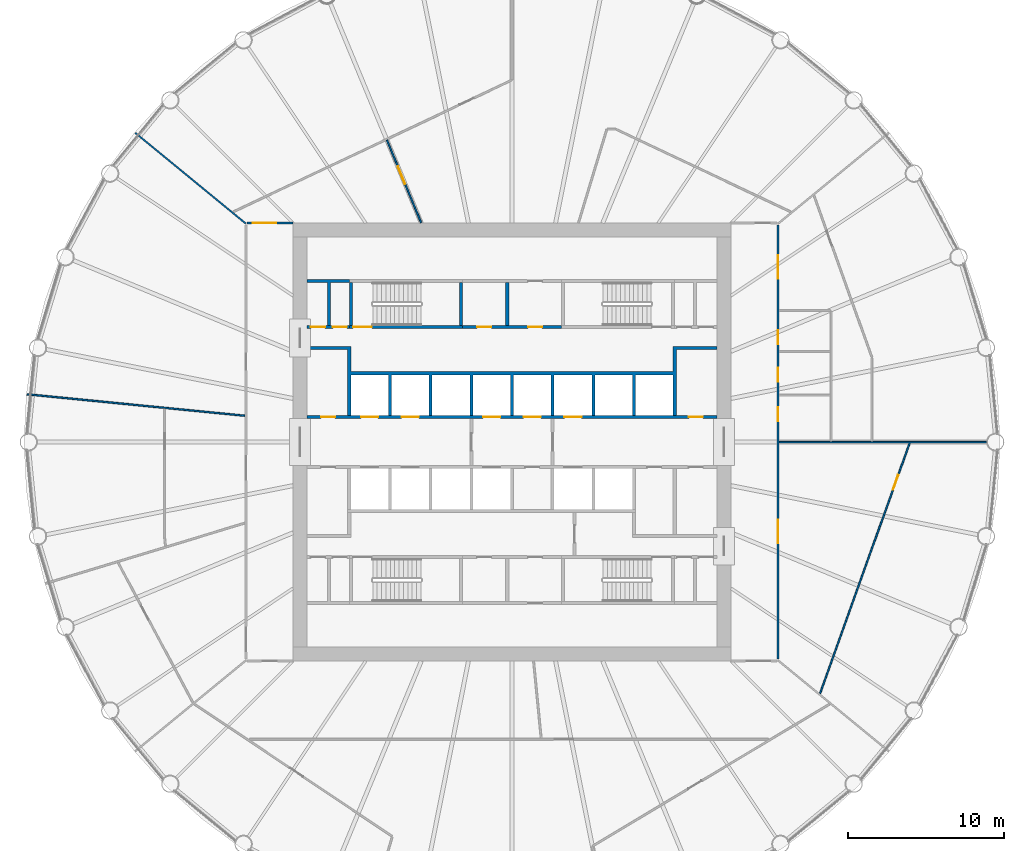
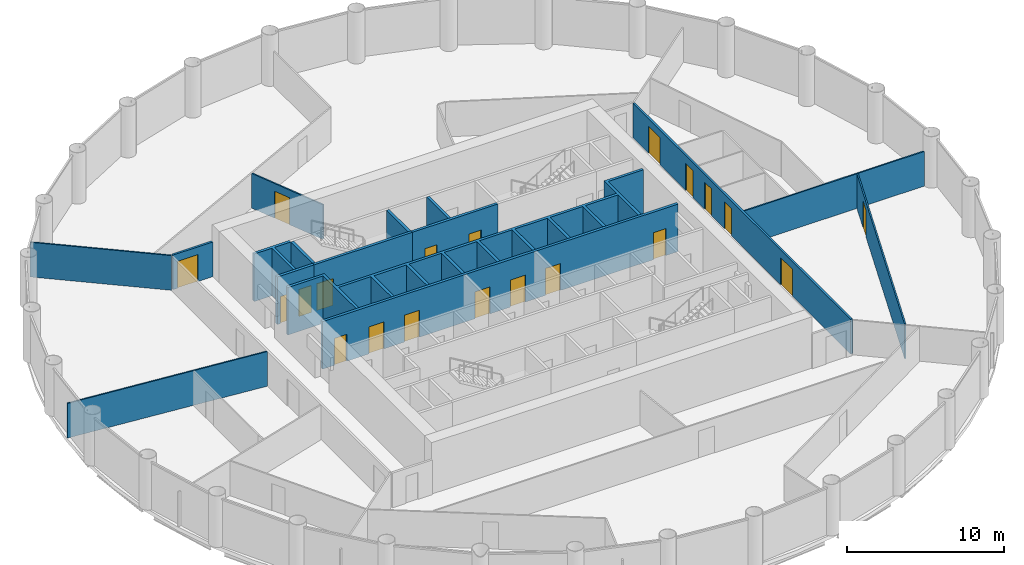
# One storey, part 6 of 8: 20 doors, 16 walls, 20 openings.
"""IFC4 building model written with IfcOpenShell, lengths in metres."""

import ifcopenshell
import ifcopenshell.guid

model = None  # the IFC model being written
_history = None  # IfcOwnerHistory: only IFC2X3 demands one
_inside = {}  # id of a spatial element -> (the spatial element, [elements in it])
_under = {}  # id of a project, library or spatial element -> (it, [spatial elements below it])
_declared = {}  # id of a project -> (the project, [libraries it declares])
_typed = {}  # id of a type object -> (the type object, [elements of that type])
_made_of = {}  # id of a material, layer set ... -> (it, [elements and type objects made of it])


def new_model(schema):
    """Start an empty IFC model of exactly this schema.

    Asked for "IFC4X3", IfcOpenShell would pick the latest addendum, in which some entities
    have other attributes; the version numbers below select the first issue.
    IFC2X3 requires an IfcOwnerHistory on every rooted entity: one is made here for all.
    """
    global model, _history
    if schema == "IFC4X3":
        model = ifcopenshell.file(schema_version=(4, 3, 0, 0))
    else:
        model = ifcopenshell.file(schema=schema)
    _inside.clear()
    _under.clear()
    _declared.clear()
    _typed.clear()
    _made_of.clear()
    _history = None
    if model.schema == "IFC2X3":
        org = make("IfcOrganization", Name="unknown")
        user = make(
            "IfcPersonAndOrganization",
            ThePerson=make("IfcPerson", FamilyName="unknown"),
            TheOrganization=org,
        )
        app = make(
            "IfcApplication",
            ApplicationDeveloper=org,
            Version="unknown",
            ApplicationFullName="unknown",
            ApplicationIdentifier="unknown",
        )
        _history = make(
            "IfcOwnerHistory",
            OwningUser=user,
            OwningApplication=app,
            ChangeAction="ADDED",
            CreationDate=0,
        )
    return model


def make(cls, **values):
    """One entity of the class cls with the attributes given. An attribute that is None is left unset."""
    return model.create_entity(
        cls, **{name: value for name, value in values.items() if value is not None}
    )


def rooted(cls, **values):
    """An entity with a GlobalId (a new one), such as an element, a storey or a relation."""
    return make(cls, GlobalId=ifcopenshell.guid.new(), OwnerHistory=_history, **values)


def si_unit(unit_type, name, prefix=None):
    """IfcSIUnit, for example si_unit("LENGTHUNIT", "METRE", prefix="MILLI")."""
    return make("IfcSIUnit", UnitType=unit_type, Prefix=prefix, Name=name)


def assignment(units):
    """IfcUnitAssignment: the units of a project."""
    return None if units is None else make("IfcUnitAssignment", Units=units)


def point(xyz):
    """IfcCartesianPoint."""
    return None if xyz is None else make("IfcCartesianPoint", Coordinates=xyz)


def direction(xyz):
    """IfcDirection."""
    return None if xyz is None else make("IfcDirection", DirectionRatios=xyz)


def frame(location, z_axis=None, x_axis=None):
    """IfcAxis2Placement3D, a coordinate frame: its origin and axes. An axis left out is left unset."""
    return make(
        "IfcAxis2Placement3D",
        Location=point(location),
        Axis=direction(z_axis),
        RefDirection=direction(x_axis),
    )


def frame_2d(location, x_axis=None):
    """IfcAxis2Placement2D, a coordinate frame in the plane: its origin and x axis."""
    return make(
        "IfcAxis2Placement2D", Location=point(location), RefDirection=direction(x_axis)
    )


def origin():
    """The frame at (0, 0, 0) with its axes left unset."""
    return frame((0.0, 0.0, 0.0))


def place(relative_to, where):
    """IfcLocalPlacement: puts the frame where relative to a parent placement (None: the world)."""
    return make(
        "IfcLocalPlacement", PlacementRelTo=relative_to, RelativePlacement=where
    )


def context(
    kind, dimensions, precision=None, world=None, true_north=None, identifier=None
):
    """IfcGeometricRepresentationContext, for example the 3D "Model" context."""
    return make(
        "IfcGeometricRepresentationContext",
        ContextIdentifier=identifier,
        ContextType=kind,
        CoordinateSpaceDimension=dimensions,
        Precision=precision,
        WorldCoordinateSystem=world,
        TrueNorth=true_north,
    )


def subcontext(parent, identifier, kind, view, scale=None):
    """IfcGeometricRepresentationSubContext, for example "Body" below "Model"."""
    return make(
        "IfcGeometricRepresentationSubContext",
        ContextIdentifier=identifier,
        ContextType=kind,
        ParentContext=parent,
        TargetScale=scale,
        TargetView=view,
    )


def project(units=None, contexts=None):
    """IfcProject with its units and contexts."""
    return rooted(
        "IfcProject",
        Name="project",
        RepresentationContexts=contexts,
        UnitsInContext=assignment(units),
    )


def spatial(cls, under=None, at=None, **own):
    """A site, building, storey or space (cls), placed at a placement, below another one or the project."""
    s = rooted(cls, ObjectPlacement=at, **own)
    if under is not None:
        _under.setdefault(under.id(), (under, []))[1].append(s)
    return s


def polyline(points):
    """IfcPolyline through the points."""
    return make("IfcPolyline", Points=[point(p) for p in points])


def profile(cls, at=None, kind="AREA", **sizes):
    """A parametric profile (cls). Its sizes go by their IFC names, for example OverallWidth=200.0."""
    return make(cls, ProfileType=kind, Position=at, **sizes)


def rectangle(**sizes):
    """IfcRectangleProfileDef."""
    return profile("IfcRectangleProfileDef", **sizes)


def outline(outer, holes=None, kind="AREA"):
    """IfcArbitraryClosedProfileDef: a profile drawn as a closed curve; with holes, ...WithVoids."""
    if holes is None:
        return make("IfcArbitraryClosedProfileDef", ProfileType=kind, OuterCurve=outer)
    return make(
        "IfcArbitraryProfileDefWithVoids",
        ProfileType=kind,
        OuterCurve=outer,
        InnerCurves=holes,
    )


def extrude(swept, where, along, depth):
    """IfcExtrudedAreaSolid: the profile swept, set in the frame where, extruded along a direction by depth."""
    return make(
        "IfcExtrudedAreaSolid",
        SweptArea=swept,
        Position=where,
        ExtrudedDirection=direction(along),
        Depth=depth,
    )


def shape(context_of_items, identifier, shape_type, items):
    """IfcShapeRepresentation: the items that make up one representation, for example the "Body"."""
    return make(
        "IfcShapeRepresentation",
        ContextOfItems=context_of_items,
        RepresentationIdentifier=identifier,
        RepresentationType=shape_type,
        Items=items,
    )


def material(Name=None, Category=None):
    """IfcMaterial."""
    return make("IfcMaterial", Name=Name, Category=Category)


def layer(
    of_material, thickness, ventilated=None, Name=None, Category=None, Priority=None
):
    """IfcMaterialLayer: one layer of a wall or slab, of a material (None: an air gap)."""
    return make(
        "IfcMaterialLayer",
        Material=of_material,
        LayerThickness=thickness,
        IsVentilated=ventilated,
        Name=Name,
        Category=Category,
        Priority=Priority,
    )


def layer_set(layers, Name=None):
    """IfcMaterialLayerSet."""
    return make("IfcMaterialLayerSet", MaterialLayers=layers, LayerSetName=Name)


def made_of(thing, what):
    """Note that an element or type object is made of a material, layer set ...; save() writes the relation."""
    if what is not None:
        _made_of.setdefault(what.id(), (what, []))[1].append(thing)
    return thing


def type_object(cls, material=None, **own):
    """A type object (cls), such as IfcWallType, which elements share."""
    return made_of(rooted(cls, **own), material)


def element(
    cls,
    number,
    at=None,
    inside=None,
    cuts=None,
    type_object=None,
    material=None,
    context=None,
    identifier="Body",
    shape_type=None,
    held_by="IfcProductDefinitionShape",
    body=None,
    shapes=None,
    **own,
):
    """One element of the class cls, such as IfcWall. Its Tag is "e" and its number.

    at: its placement. inside: the storey or other place that contains it. cuts: it is an
    opening in that element (IfcRelVoidsElement). A single representation is given by context,
    identifier, shape_type and body (its items); several are given by shapes. held_by: the class
    of the entity that holds the representations. save() writes the other relations.
    """
    e = rooted(cls, Tag="e%d" % number, ObjectPlacement=at, **own)
    if body is not None:
        shapes = [shape(context, identifier, shape_type, body)]
    if shapes is not None:
        e.Representation = make(held_by, Representations=shapes)
    if inside is not None:
        _inside.setdefault(inside.id(), (inside, []))[1].append(e)
    if cuts is not None:
        rooted(
            "IfcRelVoidsElement", RelatingBuildingElement=cuts, RelatedOpeningElement=e
        )
    if type_object is not None:
        _typed.setdefault(type_object.id(), (type_object, []))[1].append(e)
    return made_of(e, material)


def fill(opening, filler):
    """IfcRelFillsElement: the door or window that sits in an opening."""
    return rooted(
        "IfcRelFillsElement",
        RelatingOpeningElement=opening,
        RelatedBuildingElement=filler,
    )


def aggregate(whole, parts):
    """IfcRelAggregates: a whole, such as a stair, and the parts it consists of."""
    return rooted("IfcRelAggregates", RelatingObject=whole, RelatedObjects=parts)


def save(model, path):
    """Write the relations noted so far, then the file.

    IfcRelAggregates (storeys below a building ...), IfcRelContainedInSpatialStructure (elements
    in a storey), IfcRelDefinesByType, IfcRelAssociatesMaterial and IfcRelDeclares: one each for
    every whole, place, type object, material and project.
    """
    for whole, parts in _under.values():
        aggregate(whole, parts)
    for where, things in _inside.values():
        rooted(
            "IfcRelContainedInSpatialStructure",
            RelatedElements=things,
            RelatingStructure=where,
        )
    for kind, things in _typed.values():
        rooted("IfcRelDefinesByType", RelatedObjects=things, RelatingType=kind)
    for what, things in _made_of.values():
        rooted("IfcRelAssociatesMaterial", RelatedObjects=things, RelatingMaterial=what)
    for by, libraries in _declared.values():
        rooted("IfcRelDeclares", RelatingContext=by, RelatedDefinitions=libraries)
    model.write(path)


model = new_model("IFC4")

# Units and contexts
model_context = context("Model", 3, precision=1e-05, world=origin(), true_north=direction((0.0, 1.0)))
body_context = subcontext(model_context, "Body", "Model", "MODEL_VIEW")
ifc_project = project(units=[si_unit("LENGTHUNIT", "METRE"), si_unit("AREAUNIT", "SQUARE_METRE"), si_unit("VOLUMEUNIT", "CUBIC_METRE"), si_unit("PLANEANGLEUNIT", "RADIAN"), si_unit("MASSUNIT", "GRAM", prefix="KILO")], contexts=[model_context])

# Site, building, storey
site_placement = place(None, origin())
site = spatial("IfcSite", under=ifc_project, at=site_placement, CompositionType="ELEMENT")
building_placement = place(site_placement, origin())
building = spatial("IfcBuilding", under=site, at=building_placement, Name="Corvane Civic Tower", CompositionType="ELEMENT")
storey_placement = place(building_placement, frame((0.0, 0.0, 152.0)))
storey = spatial("IfcBuildingStorey", under=building, at=storey_placement, Name="L35", CompositionType="ELEMENT", Elevation=152.0)

# Wall, openings, doors
ifc_material_1 = material(Name="Concrete C30/37", Category="concrete")
ifc_layer_1 = layer(ifc_material_1, 0.199951171875)
ifc_layer_set_1 = layer_set([ifc_layer_1], Name="Concrete C30/37")
wall_type_1 = type_object("IfcWallType", Name="CR-WALL-200", PredefinedType="PARTITIONING", material=ifc_layer_set_1)
wall_1_placement = place(storey_placement, frame((-13.10009765625, 1.60009765625, 0.0), z_axis=(0.0, 0.0, 1.0), x_axis=(1.0, 0.0, 0.0)))
wall_1 = element("IfcWall", 1, at=wall_1_placement, inside=storey, type_object=wall_type_1, Name="L35 lift shaft wall", PredefinedType="PARTITIONING", context=body_context, shape_type="SweptSolid", body=[
    extrude(rectangle(XDim=26.2001953125, YDim=0.199951171875, at=frame_2d((13.10009765625, 0.0))), origin(), (0.0, 0.0, 1.0), 3.699951171875),
])
opening_1_placement = place(wall_1_placement, frame((3.449951171875, 0.0, 0.0)))
opening_1 = element("IfcOpeningElement", 2, at=opening_1_placement, cuts=wall_1, Name="Opening LD", PredefinedType="OPENING", context=body_context, shape_type="SweptSolid", body=[
    extrude(rectangle(XDim=1.10009765625, YDim=2.10009765625, at=frame_2d((0.550048828125, 1.050048828125))), frame((0.0, 0.10986328125, 0.0), z_axis=(0.0, -1.0, 0.0), x_axis=(1.0, 0.0, 0.0)), (0.0, 0.0, 1.0), 0.219970703125),
])
opening_2_placement = place(wall_1_placement, frame((6.050048828125, 0.0, 0.0)))
opening_2 = element("IfcOpeningElement", 3, at=opening_2_placement, cuts=wall_1, Name="Opening LD", PredefinedType="OPENING", context=body_context, shape_type="SweptSolid", body=[
    extrude(rectangle(XDim=1.10009765625, YDim=2.10009765625, at=frame_2d((0.550048828125, 1.050048828125))), frame((0.0, 0.10986328125, 0.0), z_axis=(0.0, -1.0, 0.0), x_axis=(1.0, 0.0, 0.0)), (0.0, 0.0, 1.0), 0.219970703125),
])
opening_3_placement = place(wall_1_placement, frame((11.25, 0.0, 0.0)))
opening_3 = element("IfcOpeningElement", 4, at=opening_3_placement, cuts=wall_1, Name="Opening LD", PredefinedType="OPENING", context=body_context, shape_type="SweptSolid", body=[
    extrude(rectangle(XDim=1.10009765625, YDim=2.10009765625, at=frame_2d((0.550048828125, 1.050048828125))), frame((0.0, 0.10986328125, 0.0), z_axis=(0.0, -1.0, 0.0), x_axis=(1.0, 0.0, 0.0)), (0.0, 0.0, 1.0), 0.219970703125),
])
opening_4_placement = place(wall_1_placement, frame((13.85009765625, 0.0, 0.0)))
opening_4 = element("IfcOpeningElement", 5, at=opening_4_placement, cuts=wall_1, Name="Opening LD", PredefinedType="OPENING", context=body_context, shape_type="SweptSolid", body=[
    extrude(rectangle(XDim=1.10009765625, YDim=2.10009765625, at=frame_2d((0.550048828125, 1.050048828125))), frame((0.0, 0.10986328125, 0.0), z_axis=(0.0, -1.0, 0.0), x_axis=(1.0, 0.0, 0.0)), (0.0, 0.0, 1.0), 0.219970703125),
])
opening_5_placement = place(wall_1_placement, frame((16.449951171875, 0.0, 0.0)))
opening_5 = element("IfcOpeningElement", 6, at=opening_5_placement, cuts=wall_1, Name="Opening LD", PredefinedType="OPENING", context=body_context, shape_type="SweptSolid", body=[
    extrude(rectangle(XDim=1.10009765625, YDim=2.10009765625, at=frame_2d((0.550048828125, 1.050048828125))), frame((0.0, 0.10986328125, 0.0), z_axis=(0.0, -1.0, 0.0), x_axis=(1.0, 0.0, 0.0)), (0.0, 0.0, 1.0), 0.219970703125),
])
opening_6_placement = place(wall_1_placement, frame((0.89990234375, 0.0, 0.0)))
opening_6 = element("IfcOpeningElement", 7, at=opening_6_placement, cuts=wall_1, Name="Opening L35.C01", PredefinedType="OPENING", context=body_context, shape_type="SweptSolid", body=[
    extrude(rectangle(XDim=0.89990234375, YDim=2.10009765625, at=frame_2d((0.449951171875, 1.050048828125))), frame((0.0, 0.10986328125, 0.0), z_axis=(0.0, -1.0, 0.0), x_axis=(1.0, 0.0, 0.0)), (0.0, 0.0, 1.0), 0.219970703125),
])
opening_7_placement = place(wall_1_placement, frame((24.39990234375, 0.0, 0.0)))
opening_7 = element("IfcOpeningElement", 8, at=opening_7_placement, cuts=wall_1, Name="Opening L35.C02", PredefinedType="OPENING", context=body_context, shape_type="SweptSolid", body=[
    extrude(rectangle(XDim=0.89990234375, YDim=2.10009765625, at=frame_2d((0.449951171875, 1.050048828125))), frame((0.0, 0.10986328125, 0.0), z_axis=(0.0, -1.0, 0.0), x_axis=(1.0, 0.0, 0.0)), (0.0, 0.0, 1.0), 0.219970703125),
])
ifc_material_2 = material(Name="Steel fire door leaf", Category="steel")
door_type_1 = type_object("IfcDoorType", Name="CR-DOOR-900", OperationType="SINGLE_SWING_LEFT", PredefinedType="DOOR", material=ifc_material_2)
door_1_placement = place(opening_6_placement, origin())
door_1 = element("IfcDoor", 9, at=door_1_placement, inside=storey, type_object=door_type_1, Name="L35 door", OperationType="SINGLE_SWING_LEFT", OverallHeight=2.10009765625, OverallWidth=0.89990234375, PredefinedType="DOOR", context=body_context, shape_type="SweptSolid", body=[
    extrude(rectangle(XDim=0.89990234375, YDim=2.10009765625, at=frame_2d((0.449951171875, 1.050048828125))), frame((0.0, 0.02490234375, 0.0), z_axis=(0.0, -1.0, 0.0), x_axis=(1.0, 0.0, 0.0)), (0.0, 0.0, 1.0), 0.050048828125),
])
fill(opening_6, door_1)
door_2_placement = place(opening_7_placement, origin())
door_2 = element("IfcDoor", 10, at=door_2_placement, inside=storey, type_object=door_type_1, Name="L35 door", OperationType="SINGLE_SWING_LEFT", OverallHeight=2.10009765625, OverallWidth=0.89990234375, PredefinedType="DOOR", context=body_context, shape_type="SweptSolid", body=[
    extrude(rectangle(XDim=0.89990234375, YDim=2.10009765625, at=frame_2d((0.449951171875, 1.050048828125))), frame((0.0, 0.02490234375, 0.0), z_axis=(0.0, -1.0, 0.0), x_axis=(1.0, 0.0, 0.0)), (0.0, 0.0, 1.0), 0.050048828125),
])
fill(opening_7, door_2)
ifc_material_3 = material(Name="Stainless steel 316 door leaves", Category="steel")
door_type_2 = type_object("IfcDoorType", Name="LD", OperationType="DOUBLE_DOOR_SLIDING", PredefinedType="DOOR", material=ifc_material_3)
door_3_placement = place(opening_1_placement, origin())
door_3 = element("IfcDoor", 11, at=door_3_placement, inside=storey, type_object=door_type_2, Name="L35 landing door", OperationType="DOUBLE_DOOR_SLIDING", OverallHeight=2.10009765625, OverallWidth=1.10009765625, PredefinedType="DOOR", context=body_context, shape_type="SweptSolid", body=[
    extrude(rectangle(XDim=1.10009765625, YDim=2.10009765625, at=frame_2d((0.550048828125, 1.050048828125))), frame((0.0, 0.02490234375, 0.0), z_axis=(0.0, -1.0, 0.0), x_axis=(1.0, 0.0, 0.0)), (0.0, 0.0, 1.0), 0.050048828125),
])
fill(opening_1, door_3)
door_4_placement = place(opening_2_placement, origin())
door_4 = element("IfcDoor", 12, at=door_4_placement, inside=storey, type_object=door_type_2, Name="L35 landing door", OperationType="DOUBLE_DOOR_SLIDING", OverallHeight=2.10009765625, OverallWidth=1.10009765625, PredefinedType="DOOR", context=body_context, shape_type="SweptSolid", body=[
    extrude(rectangle(XDim=1.10009765625, YDim=2.10009765625, at=frame_2d((0.550048828125, 1.050048828125))), frame((0.0, 0.02490234375, 0.0), z_axis=(0.0, -1.0, 0.0), x_axis=(1.0, 0.0, 0.0)), (0.0, 0.0, 1.0), 0.050048828125),
])
fill(opening_2, door_4)
door_5_placement = place(opening_3_placement, origin())
door_5 = element("IfcDoor", 13, at=door_5_placement, inside=storey, type_object=door_type_2, Name="L35 landing door", OperationType="DOUBLE_DOOR_SLIDING", OverallHeight=2.10009765625, OverallWidth=1.10009765625, PredefinedType="DOOR", context=body_context, shape_type="SweptSolid", body=[
    extrude(rectangle(XDim=1.10009765625, YDim=2.10009765625, at=frame_2d((0.550048828125, 1.050048828125))), frame((0.0, 0.02490234375, 0.0), z_axis=(0.0, -1.0, 0.0), x_axis=(1.0, 0.0, 0.0)), (0.0, 0.0, 1.0), 0.050048828125),
])
fill(opening_3, door_5)
door_6_placement = place(opening_4_placement, origin())
door_6 = element("IfcDoor", 14, at=door_6_placement, inside=storey, type_object=door_type_2, Name="L35 landing door", OperationType="DOUBLE_DOOR_SLIDING", OverallHeight=2.10009765625, OverallWidth=1.10009765625, PredefinedType="DOOR", context=body_context, shape_type="SweptSolid", body=[
    extrude(rectangle(XDim=1.10009765625, YDim=2.10009765625, at=frame_2d((0.550048828125, 1.050048828125))), frame((0.0, 0.02490234375, 0.0), z_axis=(0.0, -1.0, 0.0), x_axis=(1.0, 0.0, 0.0)), (0.0, 0.0, 1.0), 0.050048828125),
])
fill(opening_4, door_6)
door_7_placement = place(opening_5_placement, origin())
door_7 = element("IfcDoor", 15, at=door_7_placement, inside=storey, type_object=door_type_2, Name="L35 landing door", OperationType="DOUBLE_DOOR_SLIDING", OverallHeight=2.10009765625, OverallWidth=1.10009765625, PredefinedType="DOOR", context=body_context, shape_type="SweptSolid", body=[
    extrude(rectangle(XDim=1.10009765625, YDim=2.10009765625, at=frame_2d((0.550048828125, 1.050048828125))), frame((0.0, 0.02490234375, 0.0), z_axis=(0.0, -1.0, 0.0), x_axis=(1.0, 0.0, 0.0)), (0.0, 0.0, 1.0), 0.050048828125),
])
fill(opening_5, door_7)

wall_2_placement = place(storey_placement, frame((-13.10009765625, 7.35009765625, 0.0), z_axis=(0.0, 0.0, 1.0), x_axis=(1.0, 0.0, 0.0)))
wall_2 = element("IfcWall", 16, at=wall_2_placement, inside=storey, type_object=wall_type_1, Name="L35 core partition wall", PredefinedType="PARTITIONING", context=body_context, shape_type="SweptSolid", body=[
    extrude(rectangle(XDim=2.7001953125, YDim=0.199951171875, at=frame_2d((1.35009765625, 0.0))), origin(), (0.0, 0.0, 1.0), 3.699951171875),
])
opening_8_placement = place(wall_2_placement, frame((0.25, 0.0, 0.0)))
opening_8 = element("IfcOpeningElement", 17, at=opening_8_placement, cuts=wall_2, Name="Opening L35.C13", PredefinedType="OPENING", context=body_context, shape_type="SweptSolid", body=[
    extrude(rectangle(XDim=0.89990234375, YDim=2.10009765625, at=frame_2d((0.449951171875, 1.050048828125))), frame((0.0, 0.10986328125, 0.0), z_axis=(0.0, -1.0, 0.0), x_axis=(1.0, 0.0, 0.0)), (0.0, 0.0, 1.0), 0.219970703125),
])
opening_9_placement = place(wall_2_placement, frame((1.64990234375, 0.0, 0.0)))
opening_9 = element("IfcOpeningElement", 18, at=opening_9_placement, cuts=wall_2, Name="Opening L35.C14", PredefinedType="OPENING", context=body_context, shape_type="SweptSolid", body=[
    extrude(rectangle(XDim=0.89990234375, YDim=2.10009765625, at=frame_2d((0.449951171875, 1.050048828125))), frame((0.0, 0.10986328125, 0.0), z_axis=(0.0, -1.0, 0.0), x_axis=(1.0, 0.0, 0.0)), (0.0, 0.0, 1.0), 0.219970703125),
])
door_8_placement = place(opening_8_placement, origin())
door_8 = element("IfcDoor", 19, at=door_8_placement, inside=storey, type_object=door_type_1, Name="L35 door", OperationType="SINGLE_SWING_LEFT", OverallHeight=2.10009765625, OverallWidth=0.89990234375, PredefinedType="DOOR", context=body_context, shape_type="SweptSolid", body=[
    extrude(rectangle(XDim=0.89990234375, YDim=2.10009765625, at=frame_2d((0.449951171875, 1.050048828125))), frame((0.0, 0.02490234375, 0.0), z_axis=(0.0, -1.0, 0.0), x_axis=(1.0, 0.0, 0.0)), (0.0, 0.0, 1.0), 0.050048828125),
])
fill(opening_8, door_8)
door_9_placement = place(opening_9_placement, origin())
door_9 = element("IfcDoor", 20, at=door_9_placement, inside=storey, type_object=door_type_1, Name="L35 door", OperationType="SINGLE_SWING_LEFT", OverallHeight=2.10009765625, OverallWidth=0.89990234375, PredefinedType="DOOR", context=body_context, shape_type="SweptSolid", body=[
    extrude(rectangle(XDim=0.89990234375, YDim=2.10009765625, at=frame_2d((0.449951171875, 1.050048828125))), frame((0.0, 0.02490234375, 0.0), z_axis=(0.0, -1.0, 0.0), x_axis=(1.0, 0.0, 0.0)), (0.0, 0.0, 1.0), 0.050048828125),
])
fill(opening_9, door_9)

wall_3_placement = place(storey_placement, frame((-3.14990234375, 7.35009765625, 0.0), z_axis=(0.0, 0.0, 1.0), x_axis=(1.0, 0.0, 0.0)))
wall_3 = element("IfcWall", 21, at=wall_3_placement, inside=storey, type_object=wall_type_1, Name="L35 core partition wall", PredefinedType="PARTITIONING", context=body_context, shape_type="SweptSolid", body=[
    extrude(rectangle(XDim=6.2998046875, YDim=0.199951171875, at=frame_2d((3.14990234375, 0.0))), origin(), (0.0, 0.0, 1.0), 3.699951171875),
])
opening_10_placement = place(wall_3_placement, frame((0.925048828125, 0.0, 0.0)))
opening_10 = element("IfcOpeningElement", 22, at=opening_10_placement, cuts=wall_3, Name="Opening L35.C07", PredefinedType="OPENING", context=body_context, shape_type="SweptSolid", body=[
    extrude(rectangle(XDim=0.89990234375, YDim=2.10009765625, at=frame_2d((0.449951171875, 1.050048828125))), frame((0.0, 0.10986328125, 0.0), z_axis=(0.0, -1.0, 0.0), x_axis=(1.0, 0.0, 0.0)), (0.0, 0.0, 1.0), 0.219970703125),
])
opening_11_placement = place(wall_3_placement, frame((4.175048828125, 0.0, 0.0)))
opening_11 = element("IfcOpeningElement", 23, at=opening_11_placement, cuts=wall_3, Name="Opening L35.C08", PredefinedType="OPENING", context=body_context, shape_type="SweptSolid", body=[
    extrude(rectangle(XDim=0.89990234375, YDim=2.10009765625, at=frame_2d((0.449951171875, 1.050048828125))), frame((0.0, 0.10986328125, 0.0), z_axis=(0.0, -1.0, 0.0), x_axis=(1.0, 0.0, 0.0)), (0.0, 0.0, 1.0), 0.219970703125),
])
door_10_placement = place(opening_10_placement, origin())
door_10 = element("IfcDoor", 24, at=door_10_placement, inside=storey, type_object=door_type_1, Name="L35 door", OperationType="SINGLE_SWING_LEFT", OverallHeight=2.10009765625, OverallWidth=0.89990234375, PredefinedType="DOOR", context=body_context, shape_type="SweptSolid", body=[
    extrude(rectangle(XDim=0.89990234375, YDim=2.10009765625, at=frame_2d((0.449951171875, 1.050048828125))), frame((0.0, 0.02490234375, 0.0), z_axis=(0.0, -1.0, 0.0), x_axis=(1.0, 0.0, 0.0)), (0.0, 0.0, 1.0), 0.050048828125),
])
fill(opening_10, door_10)
door_11_placement = place(opening_11_placement, origin())
door_11 = element("IfcDoor", 25, at=door_11_placement, inside=storey, type_object=door_type_1, Name="L35 door", OperationType="SINGLE_SWING_LEFT", OverallHeight=2.10009765625, OverallWidth=0.89990234375, PredefinedType="DOOR", context=body_context, shape_type="SweptSolid", body=[
    extrude(rectangle(XDim=0.89990234375, YDim=2.10009765625, at=frame_2d((0.449951171875, 1.050048828125))), frame((0.0, 0.02490234375, 0.0), z_axis=(0.0, -1.0, 0.0), x_axis=(1.0, 0.0, 0.0)), (0.0, 0.0, 1.0), 0.050048828125),
])
fill(opening_11, door_11)

# Walls
wall_4_placement = place(storey_placement, origin())
element("IfcWall", 26, at=wall_4_placement, inside=storey, type_object=wall_type_1, Name="L35 core partition wall", PredefinedType="PARTITIONING", context=body_context, shape_type="SweptSolid", body=[
    extrude(outline(polyline([(-13.10009765625, 10.39990234375), (-10.39990234375, 10.39990234375), (-10.39990234375, 10.199951171875), (-11.60009765625, 10.199951171875), (-11.60009765625, 7.449951171875), (-11.800048828125, 7.449951171875), (-11.800048828125, 10.199951171875), (-13.10009765625, 10.199951171875), (-13.10009765625, 10.39990234375)])), origin(), (0.0, 0.0, 1.0), 3.699951171875),
])
wall_5_placement = place(storey_placement, origin())
element("IfcWall", 27, at=wall_5_placement, inside=storey, type_object=wall_type_1, Name="L35 core partition wall", PredefinedType="PARTITIONING", context=body_context, shape_type="SweptSolid", body=[
    extrude(outline(polyline([(-0.199951171875, 7.449951171875), (-0.39990234375, 7.449951171875), (-0.39990234375, 10.199951171875), (-0.199951171875, 10.199951171875), (-0.199951171875, 7.449951171875)])), origin(), (0.0, 0.0, 1.0), 3.699951171875),
])
wall_6_placement = place(storey_placement, origin())
element("IfcWall", 28, at=wall_6_placement, inside=storey, type_object=wall_type_1, Name="L35 core partition wall", PredefinedType="PARTITIONING", context=body_context, shape_type="SweptSolid", body=[
    extrude(outline(polyline([(-10.300048828125, 1.699951171875), (-10.5, 1.699951171875), (-10.5, 5.89990234375), (-13.10009765625, 5.89990234375), (-13.10009765625, 6.10009765625), (-10.300048828125, 6.10009765625), (-10.300048828125, 4.5), (10.300048828125, 4.5), (10.300048828125, 6.10009765625), (13.10009765625, 6.10009765625), (13.10009765625, 5.89990234375), (10.5, 5.89990234375), (10.5, 1.699951171875), (10.300048828125, 1.699951171875), (10.300048828125, 4.300048828125), (7.89990234375, 4.300048828125), (7.89990234375, 1.699951171875), (7.699951171875, 1.699951171875), (7.699951171875, 4.300048828125), (5.300048828125, 4.300048828125), (5.300048828125, 1.699951171875), (5.10009765625, 1.699951171875), (5.10009765625, 4.300048828125), (2.699951171875, 4.300048828125), (2.699951171875, 1.699951171875), (2.5, 1.699951171875), (2.5, 4.300048828125), (0.10009765625, 4.300048828125), (0.10009765625, 1.699951171875), (-0.10009765625, 1.699951171875), (-0.10009765625, 4.300048828125), (-2.5, 4.300048828125), (-2.5, 1.699951171875), (-2.699951171875, 1.699951171875), (-2.699951171875, 4.300048828125), (-5.10009765625, 4.300048828125), (-5.10009765625, 1.699951171875), (-5.300048828125, 1.699951171875), (-5.300048828125, 4.300048828125), (-7.699951171875, 4.300048828125), (-7.699951171875, 1.699951171875), (-7.89990234375, 1.699951171875), (-7.89990234375, 4.300048828125), (-10.300048828125, 4.300048828125), (-10.300048828125, 1.699951171875)])), origin(), (0.0, 0.0, 1.0), 3.699951171875),
])

# Wall, opening, door
ifc_material_4 = material(Name="Plasterboard")
ifc_layer_2 = layer(ifc_material_4, 0.10009765625)
ifc_layer_set_2 = layer_set([ifc_layer_2], Name="Plasterboard")
wall_type_2 = type_object("IfcWallType", Name="Partition 100 plasterboard on studs", PredefinedType="PARTITIONING", material=ifc_layer_set_2)
wall_7_placement = place(storey_placement, frame((19.69189453125, -16.07421875, 0.0), z_axis=(0.0, 0.0, 1.0), x_axis=(0.33689125471, 0.941543563782, 0.0)))
wall_7 = element("IfcWall", 29, at=wall_7_placement, inside=storey, type_object=wall_type_2, Name="Partition L35.010", PredefinedType="PARTITIONING", context=body_context, shape_type="SweptSolid", body=[
    extrude(rectangle(XDim=17.001220703125, YDim=0.10009765625, at=frame_2d((8.50048828125, 0.0))), origin(), (0.0, 0.0, 1.0), 2.699951171875),
])
opening_12_placement = place(wall_7_placement, frame((13.829345703125, 0.0, 0.0)))
opening_12 = element("IfcOpeningElement", 30, at=opening_12_placement, cuts=wall_7, Name="Opening L35.015", PredefinedType="OPENING", context=body_context, shape_type="SweptSolid", body=[
    extrude(rectangle(XDim=1.0, YDim=2.10009765625, at=frame_2d((0.5, 1.050048828125))), frame((0.0, 0.06005859375, 0.0), z_axis=(0.0, -1.0, 0.0), x_axis=(1.0, 0.0, 0.0)), (0.0, 0.0, 1.0), 0.1201171875),
])
ifc_material_5 = material(Name="Timber", Category="wood")
door_type_3 = type_object("IfcDoorType", Name="Single door 1000", OperationType="NOTDEFINED", PredefinedType="DOOR", material=ifc_material_5)
door_12_placement = place(opening_12_placement, frame((1.0, 0.0, 0.0), z_axis=(0.0, 0.0, 1.0), x_axis=(-1.0, 0.0, 0.0)))
door_12 = element("IfcDoor", 31, at=door_12_placement, inside=storey, type_object=door_type_3, Name="Door L35.015", OperationType="SINGLE_SWING_LEFT", OverallHeight=2.10009765625, OverallWidth=1.0, PredefinedType="DOOR", context=body_context, shape_type="SweptSolid", body=[
    extrude(rectangle(XDim=1.0, YDim=2.10009765625, at=frame_2d((0.5, 1.050048828125))), frame((0.0, 0.02490234375, 0.0), z_axis=(0.0, -1.0, 0.0), x_axis=(1.0, 0.0, 0.0)), (0.0, 0.0, 1.0), 0.050048828125),
])
fill(opening_12, door_12)

# Walls
wall_8_placement = place(storey_placement, frame((17.074951171875, 0.0, 0.0), z_axis=(0.0, 0.0, 1.0), x_axis=(1.0, 0.0, 0.0)))
element("IfcWall", 32, at=wall_8_placement, inside=storey, type_object=wall_type_2, Name="Partition L35.018", PredefinedType="PARTITIONING", context=body_context, shape_type="SweptSolid", body=[
    extrude(rectangle(XDim=13.264892578125, YDim=0.10009765625, at=frame_2d((6.63232421875, 0.0))), origin(), (0.0, 0.0, 1.0), 2.699951171875),
])
wall_9_placement = place(storey_placement, frame((-31.000244140625, 3.05322265625, 0.0), z_axis=(0.0, 0.0, 1.0), x_axis=(0.995184356936, -0.098020894254, 0.0)))
element("IfcWall", 33, at=wall_9_placement, inside=storey, type_object=wall_type_2, Name="Partition L35.021", PredefinedType="PARTITIONING", context=body_context, shape_type="SweptSolid", body=[
    extrude(rectangle(XDim=13.98779296875, YDim=0.10009765625, at=frame_2d((6.993896484375, 0.0))), origin(), (0.0, 0.0, 1.0), 2.699951171875),
])
wall_10_placement = place(storey_placement, frame((-24.079345703125, 19.761474609375, 0.0), z_axis=(0.0, 0.0, 1.0), x_axis=(0.773006154143, -0.634398522742, 0.0)))
element("IfcWall", 34, at=wall_10_placement, inside=storey, type_object=wall_type_2, Name="Partition L35.026", PredefinedType="PARTITIONING", context=body_context, shape_type="SweptSolid", body=[
    extrude(rectangle(XDim=9.134521484375, YDim=0.10009765625, at=frame_2d((4.5673828125, 0.0))), origin(), (0.0, 0.0, 1.0), 2.699951171875),
])

# Wall, opening, door
wall_11_placement = place(storey_placement, frame((-7.994873046875, 19.30126953125, 0.0), z_axis=(0.0, 0.0, 1.0), x_axis=(0.382692431756, -0.92387580479, 0.0)))
wall_11 = element("IfcWall", 35, at=wall_11_placement, inside=storey, type_object=wall_type_2, Name="Partition L35.029", PredefinedType="PARTITIONING", context=body_context, shape_type="SweptSolid", body=[
    extrude(rectangle(XDim=5.718017578125, YDim=0.10009765625, at=frame_2d((2.85888671875, 0.0))), origin(), (0.0, 0.0, 1.0), 2.699951171875),
])
opening_13_placement = place(wall_11_placement, frame((1.835693359375, 0.0, 0.0)))
opening_13 = element("IfcOpeningElement", 36, at=opening_13_placement, cuts=wall_11, Name="Opening L35.002", PredefinedType="OPENING", context=body_context, shape_type="SweptSolid", body=[
    extrude(rectangle(XDim=1.199951171875, YDim=2.10009765625, at=frame_2d((0.60009765625, 1.050048828125))), frame((0.0, 0.06005859375, 0.0), z_axis=(0.0, -1.0, 0.0), x_axis=(1.0, 0.0, 0.0)), (0.0, 0.0, 1.0), 0.1201171875),
])
ifc_material_6 = material(Name="Timber", Category="wood")
door_type_4 = type_object("IfcDoorType", Name="Double door 1200", OperationType="NOTDEFINED", PredefinedType="DOOR", material=ifc_material_6)
door_13_placement = place(opening_13_placement, origin())
door_13 = element("IfcDoor", 37, at=door_13_placement, inside=storey, type_object=door_type_4, Name="Door L35.002", OperationType="DOUBLE_DOOR_SINGLE_SWING", OverallHeight=2.10009765625, OverallWidth=1.199951171875, PredefinedType="DOOR", context=body_context, shape_type="SweptSolid", body=[
    extrude(rectangle(XDim=1.199951171875, YDim=2.10009765625, at=frame_2d((0.60009765625, 1.050048828125))), frame((0.0, 0.02490234375, 0.0), z_axis=(0.0, -1.0, 0.0), x_axis=(1.0, 0.0, 0.0)), (0.0, 0.0, 1.0), 0.050048828125),
])
fill(opening_13, door_13)

ifc_material_7 = material(Name="Concrete C50/60", Category="concrete")
ifc_layer_3 = layer(ifc_material_7, 0.199951171875)
ifc_layer_set_3 = layer_set([ifc_layer_3], Name="Concrete C50/60")
wall_type_3 = type_object("IfcWallType", Name="ST-WALL-200", PredefinedType="SHEAR", material=ifc_layer_set_3)
wall_12_placement = place(storey_placement, frame((-10.39990234375, 7.35009765625, 0.0), z_axis=(0.0, 0.0, 1.0), x_axis=(1.0, 0.0, 0.0)))
wall_12 = element("IfcWall", 38, at=wall_12_placement, inside=storey, type_object=wall_type_3, Name="L35 stair enclosure wall", PredefinedType="SHEAR", context=body_context, shape_type="SweptSolid", body=[
    extrude(rectangle(XDim=7.25, YDim=0.199951171875, at=frame_2d((3.625, 0.0))), origin(), (0.0, 0.0, 1.0), 3.699951171875),
])
opening_14_placement = place(wall_12_placement, frame((0.25, 0.0, 0.0)))
opening_14 = element("IfcOpeningElement", 39, at=opening_14_placement, cuts=wall_12, Name="Opening L35.C22", PredefinedType="OPENING", context=body_context, shape_type="SweptSolid", body=[
    extrude(rectangle(XDim=1.199951171875, YDim=2.10009765625, at=frame_2d((0.60009765625, 1.050048828125))), frame((0.0, 0.10986328125, 0.0), z_axis=(0.0, -1.0, 0.0), x_axis=(1.0, 0.0, 0.0)), (0.0, 0.0, 1.0), 0.219970703125),
])
ifc_material_8 = material(Name="Steel fire door leaf", Category="steel")
door_type_5 = type_object("IfcDoorType", Name="ST-DOOR-1200", OperationType="SINGLE_SWING_RIGHT", PredefinedType="DOOR", material=ifc_material_8)
door_14_placement = place(opening_14_placement, origin())
door_14 = element("IfcDoor", 40, at=door_14_placement, inside=storey, type_object=door_type_5, Name="L35 stair door", OperationType="SINGLE_SWING_RIGHT", OverallHeight=2.10009765625, OverallWidth=1.199951171875, PredefinedType="DOOR", context=body_context, shape_type="SweptSolid", body=[
    extrude(rectangle(XDim=1.199951171875, YDim=2.10009765625, at=frame_2d((0.60009765625, 1.050048828125))), frame((0.0, 0.02490234375, 0.0), z_axis=(0.0, -1.0, 0.0), x_axis=(1.0, 0.0, 0.0)), (0.0, 0.0, 1.0), 0.050048828125),
])
fill(opening_14, door_14)

# Walls
wall_13_placement = place(storey_placement, origin())
element("IfcWall", 41, at=wall_13_placement, inside=storey, type_object=wall_type_3, Name="L35 stair enclosure wall", PredefinedType="SHEAR", context=body_context, shape_type="SweptSolid", body=[
    extrude(outline(polyline([(-3.14990234375, 7.449951171875), (-3.35009765625, 7.449951171875), (-3.35009765625, 10.199951171875), (-3.14990234375, 10.199951171875), (-3.14990234375, 7.449951171875)])), origin(), (0.0, 0.0, 1.0), 3.699951171875),
])
wall_14_placement = place(storey_placement, origin())
element("IfcWall", 42, at=wall_14_placement, inside=storey, type_object=wall_type_3, Name="L35 stair enclosure wall", PredefinedType="SHEAR", context=body_context, shape_type="SweptSolid", body=[
    extrude(outline(polyline([(-10.199951171875, 7.449951171875), (-10.39990234375, 7.449951171875), (-10.39990234375, 10.199951171875), (-10.199951171875, 10.199951171875), (-10.199951171875, 7.449951171875)])), origin(), (0.0, 0.0, 1.0), 3.699951171875),
])

# Wall, openings, doors
ifc_material_9 = material(Name="Plasterboard")
ifc_layer_4 = layer(ifc_material_9, 0.14990234375)
ifc_layer_set_4 = layer_set([ifc_layer_4], Name="Plasterboard")
wall_type_4 = type_object("IfcWallType", Name="Tenancy wall 150 EI 60", PredefinedType="PARTITIONING", material=ifc_layer_set_4)
wall_15_placement = place(storey_placement, frame((17.0, -13.87646484375, 0.0), z_axis=(0.0, 0.0, 1.0), x_axis=(0.0, 1.0, 0.0)))
wall_15 = element("IfcWall", 43, at=wall_15_placement, inside=storey, type_object=wall_type_4, Name="Partition L35.014", PredefinedType="PARTITIONING", context=body_context, shape_type="SweptSolid", body=[
    extrude(rectangle(XDim=27.7529296875, YDim=0.14990234375, at=frame_2d((13.87646484375, 0.0))), origin(), (0.0, 0.0, 1.0), 2.699951171875),
])
opening_15_placement = place(wall_15_placement, frame((24.30419921875, 0.0, 0.0)))
opening_15 = element("IfcOpeningElement", 44, at=opening_15_placement, cuts=wall_15, Name="Opening L35.011", PredefinedType="OPENING", context=body_context, shape_type="SweptSolid", body=[
    extrude(rectangle(XDim=1.5, YDim=2.10009765625, at=frame_2d((0.75, 1.050048828125))), frame((0.0, 0.0849609375, 0.0), z_axis=(0.0, -1.0, 0.0), x_axis=(1.0, 0.0, 0.0)), (0.0, 0.0, 1.0), 0.169921875),
])
opening_16_placement = place(wall_15_placement, frame((15.21240234375, 0.0, 0.0)))
opening_16 = element("IfcOpeningElement", 45, at=opening_16_placement, cuts=wall_15, Name="Opening L35.012", PredefinedType="OPENING", context=body_context, shape_type="SweptSolid", body=[
    extrude(rectangle(XDim=0.89990234375, YDim=2.10009765625, at=frame_2d((0.449951171875, 1.050048828125))), frame((0.0, 0.0849609375, 0.0), z_axis=(0.0, -1.0, 0.0), x_axis=(1.0, 0.0, 0.0)), (0.0, 0.0, 1.0), 0.169921875),
])
opening_17_placement = place(wall_15_placement, frame((17.716796875, 0.0, 0.0)))
opening_17 = element("IfcOpeningElement", 46, at=opening_17_placement, cuts=wall_15, Name="Opening L35.013", PredefinedType="OPENING", context=body_context, shape_type="SweptSolid", body=[
    extrude(rectangle(XDim=0.89990234375, YDim=2.10009765625, at=frame_2d((0.449951171875, 1.050048828125))), frame((0.0, 0.0849609375, 0.0), z_axis=(0.0, -1.0, 0.0), x_axis=(1.0, 0.0, 0.0)), (0.0, 0.0, 1.0), 0.169921875),
])
opening_18_placement = place(wall_15_placement, frame((20.1298828125, 0.0, 0.0)))
opening_18 = element("IfcOpeningElement", 47, at=opening_18_placement, cuts=wall_15, Name="Opening L35.014", PredefinedType="OPENING", context=body_context, shape_type="SweptSolid", body=[
    extrude(rectangle(XDim=0.89990234375, YDim=2.10009765625, at=frame_2d((0.449951171875, 1.050048828125))), frame((0.0, 0.0849609375, 0.0), z_axis=(0.0, -1.0, 0.0), x_axis=(1.0, 0.0, 0.0)), (0.0, 0.0, 1.0), 0.169921875),
])
opening_19_placement = place(wall_15_placement, frame((7.415283203125, 0.0, 0.0)))
opening_19 = element("IfcOpeningElement", 48, at=opening_19_placement, cuts=wall_15, Name="Opening L35.016", PredefinedType="OPENING", context=body_context, shape_type="SweptSolid", body=[
    extrude(rectangle(XDim=1.5, YDim=2.10009765625, at=frame_2d((0.75, 1.050048828125))), frame((0.0, 0.0849609375, 0.0), z_axis=(0.0, -1.0, 0.0), x_axis=(1.0, 0.0, 0.0)), (0.0, 0.0, 1.0), 0.169921875),
])
ifc_material_10 = material(Name="Steel and timber", Category="steel")
door_type_6 = type_object("IfcDoorType", Name="Fire door FD30S 900", OperationType="NOTDEFINED", PredefinedType="DOOR", material=ifc_material_10)
door_15_placement = place(opening_16_placement, frame((0.89990234375, 0.0, 0.0), z_axis=(0.0, 0.0, 1.0), x_axis=(-1.0, 0.0, 0.0)))
door_15 = element("IfcDoor", 49, at=door_15_placement, inside=storey, type_object=door_type_6, Name="Door L35.012", OperationType="SINGLE_SWING_LEFT", OverallHeight=2.10009765625, OverallWidth=0.89990234375, PredefinedType="DOOR", context=body_context, shape_type="SweptSolid", body=[
    extrude(rectangle(XDim=0.89990234375, YDim=2.10009765625, at=frame_2d((0.449951171875, 1.050048828125))), frame((0.0, 0.02490234375, 0.0), z_axis=(0.0, -1.0, 0.0), x_axis=(1.0, 0.0, 0.0)), (0.0, 0.0, 1.0), 0.050048828125),
])
fill(opening_16, door_15)
door_16_placement = place(opening_17_placement, frame((0.89990234375, 0.0, 0.0), z_axis=(0.0, 0.0, 1.0), x_axis=(-1.0, 0.0, 0.0)))
door_16 = element("IfcDoor", 50, at=door_16_placement, inside=storey, type_object=door_type_6, Name="Door L35.013", OperationType="SINGLE_SWING_LEFT", OverallHeight=2.10009765625, OverallWidth=0.89990234375, PredefinedType="DOOR", context=body_context, shape_type="SweptSolid", body=[
    extrude(rectangle(XDim=0.89990234375, YDim=2.10009765625, at=frame_2d((0.449951171875, 1.050048828125))), frame((0.0, 0.02490234375, 0.0), z_axis=(0.0, -1.0, 0.0), x_axis=(1.0, 0.0, 0.0)), (0.0, 0.0, 1.0), 0.050048828125),
])
fill(opening_17, door_16)
door_17_placement = place(opening_18_placement, frame((0.89990234375, 0.0, 0.0), z_axis=(0.0, 0.0, 1.0), x_axis=(-1.0, 0.0, 0.0)))
door_17 = element("IfcDoor", 51, at=door_17_placement, inside=storey, type_object=door_type_6, Name="Door L35.014", OperationType="SINGLE_SWING_RIGHT", OverallHeight=2.10009765625, OverallWidth=0.89990234375, PredefinedType="DOOR", context=body_context, shape_type="SweptSolid", body=[
    extrude(rectangle(XDim=0.89990234375, YDim=2.10009765625, at=frame_2d((0.449951171875, 1.050048828125))), frame((0.0, 0.02490234375, 0.0), z_axis=(0.0, -1.0, 0.0), x_axis=(1.0, 0.0, 0.0)), (0.0, 0.0, 1.0), 0.050048828125),
])
fill(opening_18, door_17)
ifc_material_11 = material(Name="Steel and timber", Category="steel")
door_type_7 = type_object("IfcDoorType", Name="Fire door FD60 double 1500", OperationType="NOTDEFINED", PredefinedType="DOOR", material=ifc_material_11)
door_18_placement = place(opening_15_placement, frame((1.5, 0.0, 0.0), z_axis=(0.0, 0.0, 1.0), x_axis=(-1.0, 0.0, 0.0)))
door_18 = element("IfcDoor", 52, at=door_18_placement, inside=storey, type_object=door_type_7, Name="Door L35.011", OperationType="DOUBLE_DOOR_SINGLE_SWING", OverallHeight=2.10009765625, OverallWidth=1.5, PredefinedType="DOOR", context=body_context, shape_type="SweptSolid", body=[
    extrude(rectangle(XDim=1.5, YDim=2.10009765625, at=frame_2d((0.75, 1.050048828125))), frame((0.0, 0.02490234375, 0.0), z_axis=(0.0, -1.0, 0.0), x_axis=(1.0, 0.0, 0.0)), (0.0, 0.0, 1.0), 0.050048828125),
])
fill(opening_15, door_18)
door_19_placement = place(opening_19_placement, frame((1.5, 0.0, 0.0), z_axis=(0.0, 0.0, 1.0), x_axis=(-1.0, 0.0, 0.0)))
door_19 = element("IfcDoor", 53, at=door_19_placement, inside=storey, type_object=door_type_7, Name="Door L35.016", OperationType="DOUBLE_DOOR_SINGLE_SWING", OverallHeight=2.10009765625, OverallWidth=1.5, PredefinedType="DOOR", context=body_context, shape_type="SweptSolid", body=[
    extrude(rectangle(XDim=1.5, YDim=2.10009765625, at=frame_2d((0.75, 1.050048828125))), frame((0.0, 0.02490234375, 0.0), z_axis=(0.0, -1.0, 0.0), x_axis=(1.0, 0.0, 0.0)), (0.0, 0.0, 1.0), 0.050048828125),
])
fill(opening_19, door_19)

# Wall, opening, door
wall_16_placement = place(storey_placement, frame((-16.925048828125, 14.0, 0.0), z_axis=(0.0, 0.0, 1.0), x_axis=(1.0, 0.0, 0.0)))
wall_16 = element("IfcWall", 54, at=wall_16_placement, inside=storey, type_object=wall_type_4, Name="Partition L35.028", PredefinedType="PARTITIONING", context=body_context, shape_type="SweptSolid", body=[
    extrude(rectangle(XDim=2.93505859375, YDim=0.14990234375, at=frame_2d((1.467529296875, 0.0))), origin(), (0.0, 0.0, 1.0), 2.699951171875),
])
opening_20_placement = place(wall_16_placement, frame((0.33935546875, 0.0, 0.0)))
opening_20 = element("IfcOpeningElement", 55, at=opening_20_placement, cuts=wall_16, Name="Opening L35.003", PredefinedType="OPENING", context=body_context, shape_type="SweptSolid", body=[
    extrude(rectangle(XDim=1.5, YDim=2.10009765625, at=frame_2d((0.75, 1.050048828125))), frame((0.0, 0.0849609375, 0.0), z_axis=(0.0, -1.0, 0.0), x_axis=(1.0, 0.0, 0.0)), (0.0, 0.0, 1.0), 0.169921875),
])
door_20_placement = place(opening_20_placement, origin())
door_20 = element("IfcDoor", 56, at=door_20_placement, inside=storey, type_object=door_type_7, Name="Door L35.003", OperationType="DOUBLE_DOOR_SINGLE_SWING", OverallHeight=2.10009765625, OverallWidth=1.5, PredefinedType="DOOR", context=body_context, shape_type="SweptSolid", body=[
    extrude(rectangle(XDim=1.5, YDim=2.10009765625, at=frame_2d((0.75, 1.050048828125))), frame((0.0, 0.02490234375, 0.0), z_axis=(0.0, -1.0, 0.0), x_axis=(1.0, 0.0, 0.0)), (0.0, 0.0, 1.0), 0.050048828125),
])
fill(opening_20, door_20)

save(model, "model.ifc")
